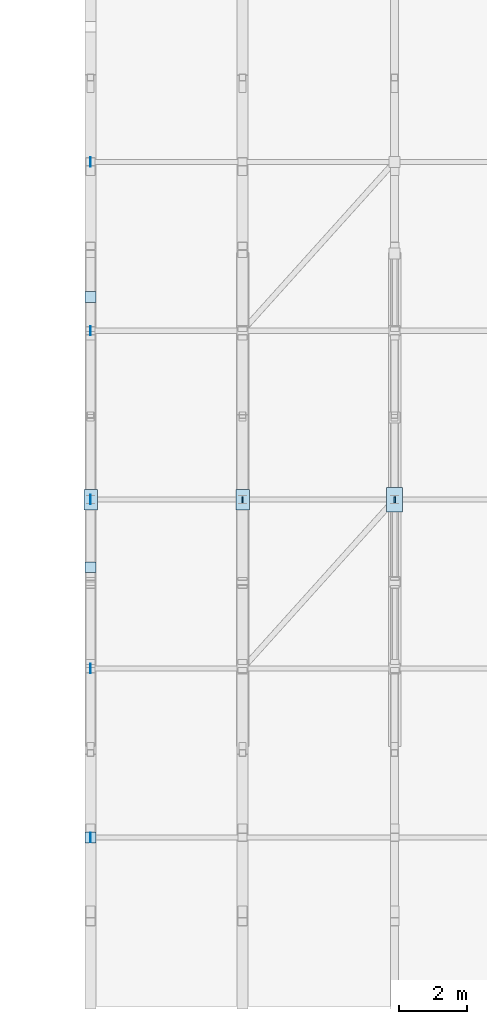
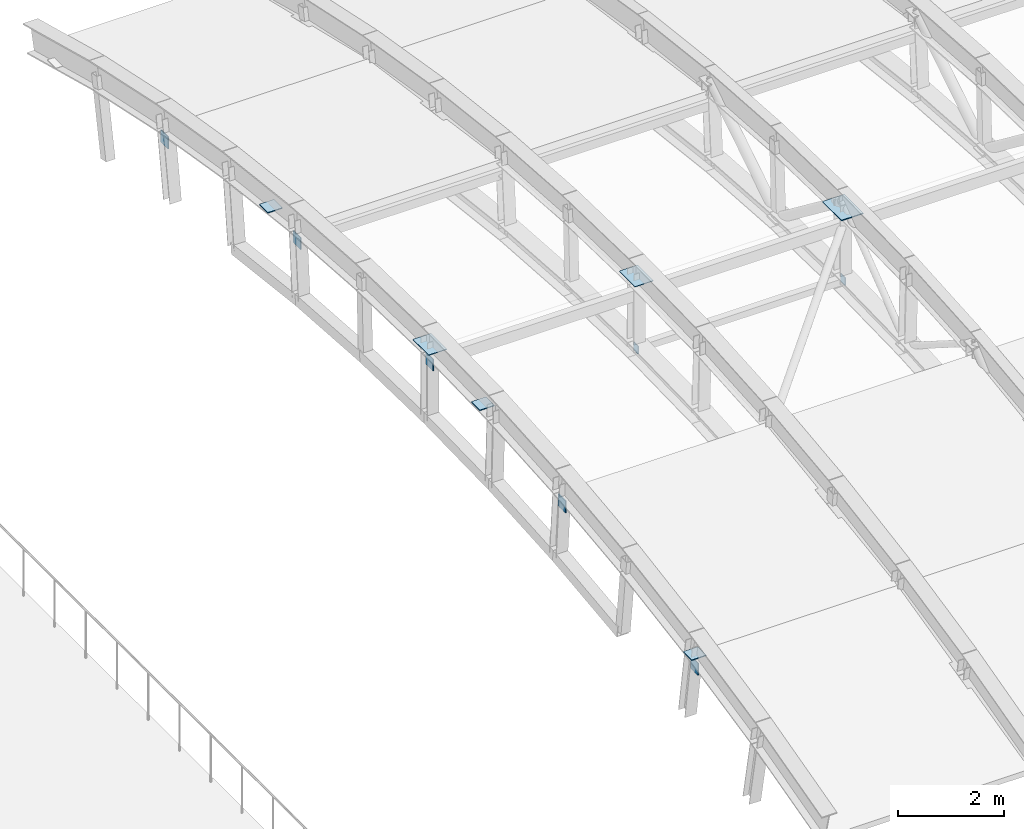
# One storey, part 34 of 53: 13 plates.
"""IFC4 building model written with IfcOpenShell, lengths in metres."""

from ifc_helpers import new_model, si_unit, direction, frame, origin, origin_2d, place, context, subcontext, project, spatial, rectangle, extrude, material, layer, layer_set, type_object, element, save


model = new_model("IFC4")

# Units and contexts
model_context = context("Model", 3, precision=1e-05, world=origin(), true_north=direction((0.0, 1.0)))
body_context = subcontext(model_context, "Body", "Model", "MODEL_VIEW")
ifc_project = project(units=[si_unit("LENGTHUNIT", "METRE"), si_unit("AREAUNIT", "SQUARE_METRE"), si_unit("VOLUMEUNIT", "CUBIC_METRE"), si_unit("PLANEANGLEUNIT", "RADIAN"), si_unit("MASSUNIT", "GRAM", prefix="KILO")], contexts=[model_context])

# Site, building, storey
site_placement = place(None, origin())
site = spatial("IfcSite", under=ifc_project, at=site_placement, CompositionType="ELEMENT")
building_placement = place(site_placement, origin())
building = spatial("IfcBuilding", under=site, at=building_placement, Name="Cazmaro Siding Exhibition Halls", CompositionType="ELEMENT")
storey_placement = place(building_placement, frame((0.0, 0.0, 21.0)))
storey = spatial("IfcBuildingStorey", under=building, at=storey_placement, Name="L04", CompositionType="ELEMENT", Elevation=21.0)

# Plates
ifc_material_1 = material(Name="Steel ASTM A572 Grade 50", Category="steel")
ifc_layer_1 = layer(ifc_material_1, 0.02001953125)
ifc_layer_set_1 = layer_set([ifc_layer_1], Name="Steel ASTM A572 Grade 50")
plate_type_1 = type_object("IfcPlateType", Name="CP-02", PredefinedType="SHEET", material=ifc_layer_set_1)
for number, where, z_axis, x_axis, name in (
    (1, (45.0, 84.0, 1.277099609375), (0.0, 0.0, 1.0), (1.0, 0.0, 0.0), "HSS column top end-cap plate CP-02"),
    (2, (45.0, 92.0, 2.18310546875), (0.0, 0.0, 1.0), (1.0, 0.0, 0.0), "HSS column top end-cap plate CP-02"),
    (3, (45.0, 100.0, 1.883056640625), (0.0, 0.0, 1.0), (1.0, 0.0, 0.0), "HSS column top end-cap plate CP-02"),
):
    element("IfcPlate", number, at=place(storey_placement, frame(where, z_axis=z_axis, x_axis=x_axis)), inside=storey, type_object=plate_type_1, Name=name, PredefinedType="SHEET", context=body_context, shape_type="SweptSolid", body=[
        extrude(rectangle(XDim=0.320068359375, YDim=0.320068359375, at=origin_2d()), origin(), (0.0, 0.0, 1.0), 0.02001953125),
    ])
ifc_material_2 = material(Name="Steel ASTM A572 Grade 50", Category="steel")
ifc_layer_2 = layer(ifc_material_2, 0.02001953125)
ifc_layer_set_2 = layer_set([ifc_layer_2], Name="Steel ASTM A572 Grade 50")
plate_type_2 = type_object("IfcPlateType", Name="CP-11", PredefinedType="SHEET", material=ifc_layer_set_2)
for number, where, z_axis, x_axis, name in (
    (4, (49.485107421875, 94.0, 0.699951171875), (1.0, 0.0, 0.0), (0.0, 1.0, 0.0), "HSS strut end-cap plate CP-11"),
    (5, (53.994873046875, 94.0, 0.699951171875), (1.0, 0.0, 0.0), (0.0, 1.0, 0.0), "HSS strut end-cap plate CP-11"),
):
    element("IfcPlate", number, at=place(storey_placement, frame(where, z_axis=z_axis, x_axis=x_axis)), inside=storey, type_object=plate_type_2, Name=name, PredefinedType="SHEET", context=body_context, shape_type="SweptSolid", body=[
        extrude(rectangle(XDim=0.179931640625, YDim=0.179931640625, at=origin_2d()), origin(), (0.0, 0.0, 1.0), 0.02001953125),
    ])
ifc_material_3 = material(Name="Steel ASTM A572 Grade 50", Category="steel")
ifc_layer_3 = layer(ifc_material_3, 0.02001953125)
ifc_layer_set_3 = layer_set([ifc_layer_3], Name="Steel ASTM A572 Grade 50")
plate_type_3 = type_object("IfcPlateType", Name="CP-12", PredefinedType="SHEET", material=ifc_layer_set_3)
for number, where, z_axis, x_axis, name in (
    (6, (44.985107421875, 84.0, 1.01708984375), (1.0, 0.0, 0.0), (0.0, 1.0, 0.0), "HSS purlin end-cap plate CP-12"),
    (7, (44.985107421875, 89.0, 1.72607421875), (1.0, 0.0, 0.0), (0.0, 1.0, 0.0), "HSS purlin end-cap plate CP-12"),
    (8, (44.985107421875, 94.0, 1.9599609375), (1.0, 0.0, 0.0), (0.0, 1.0, 0.0), "HSS purlin end-cap plate CP-12"),
    (9, (44.985107421875, 99.0, 1.72607421875), (1.0, 0.0, 0.0), (0.0, 1.0, 0.0), "HSS purlin end-cap plate CP-12"),
    (10, (44.985107421875, 104.0, 1.01708984375), (1.0, 0.0, 0.0), (0.0, 1.0, 0.0), "HSS purlin end-cap plate CP-12"),
):
    element("IfcPlate", number, at=place(storey_placement, frame(where, z_axis=z_axis, x_axis=x_axis)), inside=storey, type_object=plate_type_3, Name=name, PredefinedType="SHEET", context=body_context, shape_type="SweptSolid", body=[
        extrude(rectangle(XDim=0.280029296875, YDim=0.280029296875, at=origin_2d()), origin(), (0.0, 0.0, 1.0), 0.02001953125),
    ])
ifc_material_4 = material(Name="Steel ASTM A572 Grade 50", Category="steel")
ifc_layer_4 = layer(ifc_material_4, 0.011962890625)
ifc_layer_set_4 = layer_set([ifc_layer_4], Name="Steel ASTM A572 Grade 50")
plate_type_4 = type_object("IfcPlateType", Name="GP-01", PredefinedType="USERDEFINED", material=ifc_layer_set_4)
for number, where, z_axis, x_axis, name in (
    (11, (45.0, 94.0, 2.34423828125), (0.0, 0.0, 1.0), (0.0, 1.0, 0.0), "Space frame vault crown gusset plate GP-01 node TN-02"),
    (12, (49.5, 94.0, 2.34423828125), (0.0, 0.0, 1.0), (0.0, 1.0, 0.0), "Space frame vault crown gusset plate GP-01 node TN-02"),
):
    element("IfcPlate", number, at=place(storey_placement, frame(where, z_axis=z_axis, x_axis=x_axis)), inside=storey, type_object=plate_type_4, Name=name, ObjectType="GUSSET PLATE", PredefinedType="USERDEFINED", context=body_context, shape_type="SweptSolid", body=[
        extrude(rectangle(XDim=0.60009765625, YDim=0.39990234375, at=origin_2d()), origin(), (0.0, 0.0, 1.0), 0.011962890625),
    ])
ifc_material_5 = material(Name="Steel ASTM A572 Grade 50", Category="steel")
ifc_layer_5 = layer(ifc_material_5, 0.02001953125)
ifc_layer_set_5 = layer_set([ifc_layer_5], Name="Steel ASTM A572 Grade 50")
plate_type_5 = type_object("IfcPlateType", Name="GP-02", PredefinedType="USERDEFINED", material=ifc_layer_set_5)
plate_placement = place(storey_placement, frame((54.0, 94.0, 2.340087890625), z_axis=(0.0, 0.0, 1.0), x_axis=(0.0, 1.0, 0.0)))
element("IfcPlate", 13, at=plate_placement, inside=storey, type_object=plate_type_5, Name="Space frame vault crown gusset plate GP-02 node TN-02", ObjectType="GUSSET PLATE", PredefinedType="USERDEFINED", context=body_context, shape_type="SweptSolid", body=[
    extrude(rectangle(XDim=0.719970703125, YDim=0.47998046875, at=origin_2d()), origin(), (0.0, 0.0, 1.0), 0.02001953125),
])

save(model, "model.ifc")
